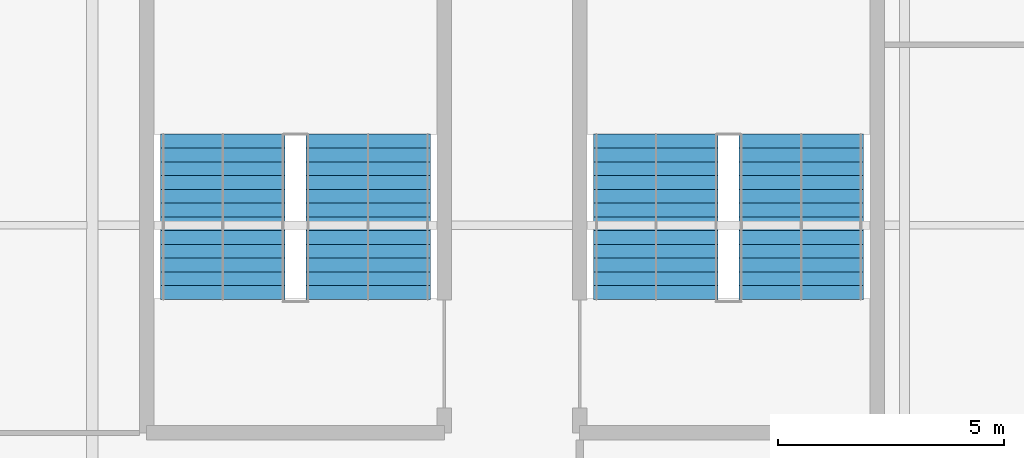
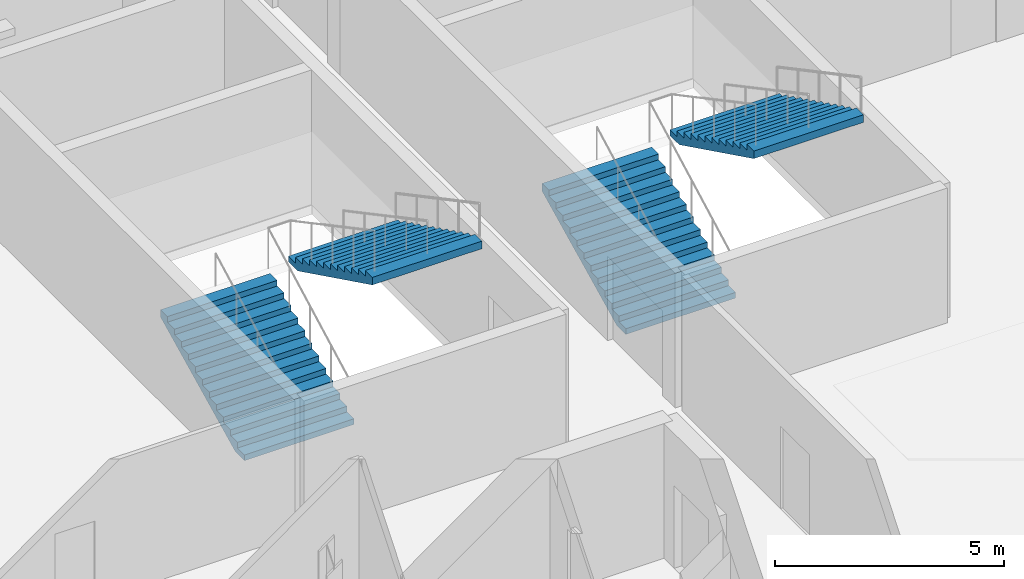
# One storey, part 89 of 105: 4 stair flights, 2 elements without a shape of their own.
"""IFC4 building model written with IfcOpenShell, lengths in metres."""

from ifc_helpers import new_model, si_unit, direction, frame, origin, place, context, subcontext, project, spatial, polygons, material, type_object, element, aggregate, save


model = new_model("IFC4")

# Units and contexts
model_context = context("Model", 3, precision=1e-05, world=origin(), true_north=direction((0.0, 1.0)))
body_context = subcontext(model_context, "Body", "Model", "MODEL_VIEW")
ifc_project = project(units=[si_unit("LENGTHUNIT", "METRE"), si_unit("AREAUNIT", "SQUARE_METRE"), si_unit("VOLUMEUNIT", "CUBIC_METRE"), si_unit("PLANEANGLEUNIT", "RADIAN"), si_unit("MASSUNIT", "GRAM", prefix="KILO")], contexts=[model_context])

# Site, building, storey
site_placement = place(None, origin())
site = spatial("IfcSite", under=ifc_project, at=site_placement, CompositionType="ELEMENT")
building_placement = place(site_placement, origin())
building = spatial("IfcBuilding", under=site, at=building_placement, Name="Kisiwana Market Hall", CompositionType="ELEMENT")
storey_placement = place(building_placement, frame((0.0, 0.0, 21.60009765625)))
storey = spatial("IfcBuildingStorey", under=building, at=storey_placement, Name="L04", CompositionType="ELEMENT", Elevation=21.60009765625)

# Stair, stair flights
ifc_material_1 = material(Name="Concrete C32/40", Category="concrete")
stair_type = type_object("IfcStairType", Name="ST-ESC-3900", PredefinedType="TWO_STRAIGHT_RUN_STAIR", material=ifc_material_1)
stair_1_placement = place(storey_placement, origin())
stair_1 = element("IfcStair", 1, at=stair_1_placement, inside=storey, type_object=stair_type, Name="Escape stair ST-W3-L04", PredefinedType="TWO_STRAIGHT_RUN_STAIR")
ifc_material_2 = material(Name="Concrete C32/40", Category="concrete")
stair_flight_type = type_object("IfcStairFlightType", Name="SF-ESC-3900", PredefinedType="STRAIGHT", material=ifc_material_2)
stair_flight_1_placement = place(storey_placement, frame((11.889892578125, 42.360107421875, 0.0), z_axis=(0.0, 0.0, 1.0), x_axis=(0.0, 1.0, 0.0)))
stair_flight_1 = element("IfcStairFlight", 2, at=stair_flight_1_placement, type_object=stair_flight_type, Name="ST-W3-L04 flight 1", NumberOfRisers=13, NumberOfTreads=12, PredefinedType="STRAIGHT", RiserHeight=0.15, TreadLength=0.305, context=body_context, shape_type="Tessellation", body=[
    polygons([(0.0, -1.380127, 0.0), (0.0, -0.690125, 0.0), (0.0, -0.000122, 0.0), (0.0, 0.68988, 0.0), (0.0, 1.379883, 0.0), (0.0, -1.380127, 0.149902), (0.0, -0.690125, 0.149902), (0.0, -0.000122, 0.149902), (0.0, 0.68988, 0.149902), (0.0, 1.379883, 0.149902), (0.304932, -1.380127, 0.149902), (0.304932, -0.690125, 0.149902), (0.304932, -0.000122, 0.149902), (0.304932, 0.68988, 0.149902), (0.304932, 1.379883, 0.149902), (0.304932, -1.380127, 0.300049), (0.304932, -0.690125, 0.300049), (0.304932, -0.000122, 0.300049), (0.304932, 0.68988, 0.300049), (0.304932, 1.379883, 0.300049), (0.610107, -1.380127, 0.300049), (0.610107, -0.690125, 0.300049), (0.610107, -0.000122, 0.300049), (0.610107, 0.68988, 0.300049), (0.610107, 1.379883, 0.300049), (0.610107, -1.380127, 0.449951), (0.610107, -0.690125, 0.449951), (0.610107, -0.000122, 0.449951), (0.610107, 0.68988, 0.449951), (0.610107, 1.379883, 0.449951), (0.915039, -1.380127, 0.449951), (0.915039, -0.690125, 0.449951), (0.915039, -0.000122, 0.449951), (0.915039, 0.68988, 0.449951), (0.915039, 1.379883, 0.449951), (0.915039, -1.380127, 0.600098), (0.915039, -0.690125, 0.600098), (0.915039, -0.000122, 0.600098), (0.915039, 0.68988, 0.600098), (0.915039, 1.379883, 0.600098), (1.219971, -1.380127, 0.600098), (1.219971, -0.690125, 0.600098), (1.219971, -0.000122, 0.600098), (1.219971, 0.68988, 0.600098), (1.219971, 1.379883, 0.600098), (1.219971, -1.380127, 0.75), (1.219971, -0.690125, 0.75), (1.219971, -0.000122, 0.75), (1.219971, 0.68988, 0.75), (1.219971, 1.379883, 0.75), (1.524902, -1.380127, 0.75), (1.524902, -0.690125, 0.75), (1.524902, -0.000122, 0.75), (1.524902, 0.68988, 0.75), (1.524902, 1.379883, 0.75), (1.524902, -1.380127, 0.899902), (1.524902, -0.690125, 0.899902), (1.524902, -0.000122, 0.899902), (1.524902, 0.68988, 0.899902), (1.524902, 1.379883, 0.899902), (1.830078, -1.380127, 0.899902), (1.830078, -0.690125, 0.899902), (1.830078, -0.000122, 0.899902), (1.830078, 0.68988, 0.899902), (1.830078, 1.379883, 0.899902), (1.830078, -1.380127, 1.050049), (1.830078, -0.690125, 1.050049), (1.830078, -0.000122, 1.050049), (1.830078, 0.68988, 1.050049), (1.830078, 1.379883, 1.050049), (2.13501, -1.380127, 1.050049), (2.13501, -0.690125, 1.050049), (2.13501, -0.000122, 1.050049), (2.13501, 0.68988, 1.050049), (2.13501, 1.379883, 1.050049), (2.13501, -1.380127, 1.199951), (2.13501, -0.690125, 1.199951), (2.13501, -0.000122, 1.199951), (2.13501, 0.68988, 1.199951), (2.13501, 1.379883, 1.199951), (2.439941, -1.380127, 1.199951), (2.439941, -0.690125, 1.199951), (2.439941, -0.000122, 1.199951), (2.439941, 0.68988, 1.199951), (2.439941, 1.379883, 1.199951), (2.439941, -1.380127, 1.350098), (2.439941, -0.690125, 1.350098), (2.439941, -0.000122, 1.350098), (2.439941, 0.68988, 1.350098), (2.439941, 1.379883, 1.350098), (2.745117, -1.380127, 1.350098), (2.745117, -0.690125, 1.350098), (2.745117, -0.000122, 1.350098), (2.745117, 0.68988, 1.350098), (2.745117, 1.379883, 1.350098), (2.745117, -1.380127, 1.5), (2.745117, -0.690125, 1.5), (2.745117, -0.000122, 1.5), (2.745117, 0.68988, 1.5), (2.745117, 1.379883, 1.5), (3.050049, -1.380127, 1.5), (3.050049, -0.690125, 1.5), (3.050049, -0.000122, 1.5), (3.050049, 0.68988, 1.5), (3.050049, 1.379883, 1.5), (3.050049, -1.380127, 1.649902), (3.050049, -0.690125, 1.649902), (3.050049, -0.000122, 1.649902), (3.050049, 0.68988, 1.649902), (3.050049, 1.379883, 1.649902), (3.35498, -1.380127, 1.649902), (3.35498, -0.690125, 1.649902), (3.35498, -0.000122, 1.649902), (3.35498, 0.68988, 1.649902), (3.35498, 1.379883, 1.649902), (3.35498, -1.380127, 1.800049), (3.35498, -0.690125, 1.800049), (3.35498, -0.000122, 1.800049), (3.35498, 0.68988, 1.800049), (3.35498, 1.379883, 1.800049), (3.659912, -1.380127, 1.800049), (3.659912, -0.690125, 1.800049), (3.659912, -0.000122, 1.800049), (3.659912, 0.68988, 1.800049), (3.659912, 1.379883, 1.800049), (3.659912, -1.380127, 1.599365), (3.659912, -0.690125, 1.599365), (3.659912, -0.000122, 1.599365), (3.659912, 0.68988, 1.599365), (3.659912, 1.379883, 1.599365), (0.407715, -1.380127, 0.0), (0.407715, -0.690125, 0.0), (0.407715, -0.000122, 0.0), (0.407715, 0.68988, 0.0), (0.407715, 1.379883, 0.0)], [[[1, 6, 7, 2]], [[2, 7, 8, 3]], [[3, 8, 9, 4]], [[4, 9, 10, 5]], [[6, 11, 12, 7]], [[7, 12, 13, 8]], [[8, 13, 14, 9]], [[9, 14, 15, 10]], [[11, 16, 17, 12]], [[12, 17, 18, 13]], [[13, 18, 19, 14]], [[14, 19, 20, 15]], [[16, 21, 22, 17]], [[17, 22, 23, 18]], [[18, 23, 24, 19]], [[19, 24, 25, 20]], [[21, 26, 27, 22]], [[22, 27, 28, 23]], [[23, 28, 29, 24]], [[24, 29, 30, 25]], [[26, 31, 32, 27]], [[27, 32, 33, 28]], [[28, 33, 34, 29]], [[29, 34, 35, 30]], [[31, 36, 37, 32]], [[32, 37, 38, 33]], [[33, 38, 39, 34]], [[34, 39, 40, 35]], [[36, 41, 42, 37]], [[37, 42, 43, 38]], [[38, 43, 44, 39]], [[39, 44, 45, 40]], [[41, 46, 47, 42]], [[42, 47, 48, 43]], [[43, 48, 49, 44]], [[44, 49, 50, 45]], [[46, 51, 52, 47]], [[47, 52, 53, 48]], [[48, 53, 54, 49]], [[49, 54, 55, 50]], [[51, 56, 57, 52]], [[52, 57, 58, 53]], [[53, 58, 59, 54]], [[54, 59, 60, 55]], [[56, 61, 62, 57]], [[57, 62, 63, 58]], [[58, 63, 64, 59]], [[59, 64, 65, 60]], [[61, 66, 67, 62]], [[62, 67, 68, 63]], [[63, 68, 69, 64]], [[64, 69, 70, 65]], [[66, 71, 72, 67]], [[67, 72, 73, 68]], [[68, 73, 74, 69]], [[69, 74, 75, 70]], [[71, 76, 77, 72]], [[72, 77, 78, 73]], [[73, 78, 79, 74]], [[74, 79, 80, 75]], [[76, 81, 82, 77]], [[77, 82, 83, 78]], [[78, 83, 84, 79]], [[79, 84, 85, 80]], [[81, 86, 87, 82]], [[82, 87, 88, 83]], [[83, 88, 89, 84]], [[84, 89, 90, 85]], [[86, 91, 92, 87]], [[87, 92, 93, 88]], [[88, 93, 94, 89]], [[89, 94, 95, 90]], [[91, 96, 97, 92]], [[92, 97, 98, 93]], [[93, 98, 99, 94]], [[94, 99, 100, 95]], [[96, 101, 102, 97]], [[97, 102, 103, 98]], [[98, 103, 104, 99]], [[99, 104, 105, 100]], [[101, 106, 107, 102]], [[102, 107, 108, 103]], [[103, 108, 109, 104]], [[104, 109, 110, 105]], [[106, 111, 112, 107]], [[107, 112, 113, 108]], [[108, 113, 114, 109]], [[109, 114, 115, 110]], [[111, 116, 117, 112]], [[112, 117, 118, 113]], [[113, 118, 119, 114]], [[114, 119, 120, 115]], [[116, 121, 122, 117]], [[117, 122, 123, 118]], [[118, 123, 124, 119]], [[119, 124, 125, 120]], [[121, 126, 127, 122]], [[122, 127, 128, 123]], [[123, 128, 129, 124]], [[124, 129, 130, 125]], [[126, 131, 132, 127]], [[127, 132, 133, 128]], [[128, 133, 134, 129]], [[129, 134, 135, 130]], [[131, 1, 2, 132]], [[132, 2, 3, 133]], [[133, 3, 4, 134]], [[134, 4, 5, 135]], [[131, 126, 121, 116, 111, 106, 101, 96, 91, 86, 81, 76, 71, 66, 61, 56, 51, 46, 41, 36, 31, 26, 21, 16, 11, 6, 1]], [[5, 10, 15, 20, 25, 30, 35, 40, 45, 50, 55, 60, 65, 70, 75, 80, 85, 90, 95, 100, 105, 110, 115, 120, 125, 130, 135]]], closed=True),
])
stair_flight_2_placement = place(storey_placement, frame((15.110107421875, 46.02001953125, 1.949951171875), z_axis=(0.0, 0.0, 1.0), x_axis=(0.0, -1.0, 0.0)))
stair_flight_2 = element("IfcStairFlight", 3, at=stair_flight_2_placement, type_object=stair_flight_type, Name="ST-W3-L04 flight 2", NumberOfRisers=13, NumberOfTreads=12, PredefinedType="STRAIGHT", RiserHeight=0.15, TreadLength=0.305, context=body_context, shape_type="Tessellation", body=[
    polygons([(0.0, -1.380127, 0.0), (0.0, -0.690125, 0.0), (0.0, -0.000122, 0.0), (0.0, 0.68988, 0.0), (0.0, 1.379883, 0.0), (0.0, -1.380127, 0.149902), (0.0, -0.690125, 0.149902), (0.0, -0.000122, 0.149902), (0.0, 0.68988, 0.149902), (0.0, 1.379883, 0.149902), (0.304932, -1.380127, 0.149902), (0.304932, -0.690125, 0.149902), (0.304932, -0.000122, 0.149902), (0.304932, 0.68988, 0.149902), (0.304932, 1.379883, 0.149902), (0.304932, -1.380127, 0.300049), (0.304932, -0.690125, 0.300049), (0.304932, -0.000122, 0.300049), (0.304932, 0.68988, 0.300049), (0.304932, 1.379883, 0.300049), (0.610107, -1.380127, 0.300049), (0.610107, -0.690125, 0.300049), (0.610107, -0.000122, 0.300049), (0.610107, 0.68988, 0.300049), (0.610107, 1.379883, 0.300049), (0.610107, -1.380127, 0.449951), (0.610107, -0.690125, 0.449951), (0.610107, -0.000122, 0.449951), (0.610107, 0.68988, 0.449951), (0.610107, 1.379883, 0.449951), (0.915039, -1.380127, 0.449951), (0.915039, -0.690125, 0.449951), (0.915039, -0.000122, 0.449951), (0.915039, 0.68988, 0.449951), (0.915039, 1.379883, 0.449951), (0.915039, -1.380127, 0.600098), (0.915039, -0.690125, 0.600098), (0.915039, -0.000122, 0.600098), (0.915039, 0.68988, 0.600098), (0.915039, 1.379883, 0.600098), (1.219971, -1.380127, 0.600098), (1.219971, -0.690125, 0.600098), (1.219971, -0.000122, 0.600098), (1.219971, 0.68988, 0.600098), (1.219971, 1.379883, 0.600098), (1.219971, -1.380127, 0.75), (1.219971, -0.690125, 0.75), (1.219971, -0.000122, 0.75), (1.219971, 0.68988, 0.75), (1.219971, 1.379883, 0.75), (1.524902, -1.380127, 0.75), (1.524902, -0.690125, 0.75), (1.524902, -0.000122, 0.75), (1.524902, 0.68988, 0.75), (1.524902, 1.379883, 0.75), (1.524902, -1.380127, 0.899902), (1.524902, -0.690125, 0.899902), (1.524902, -0.000122, 0.899902), (1.524902, 0.68988, 0.899902), (1.524902, 1.379883, 0.899902), (1.830078, -1.380127, 0.899902), (1.830078, -0.690125, 0.899902), (1.830078, -0.000122, 0.899902), (1.830078, 0.68988, 0.899902), (1.830078, 1.379883, 0.899902), (1.830078, -1.380127, 1.050049), (1.830078, -0.690125, 1.050049), (1.830078, -0.000122, 1.050049), (1.830078, 0.68988, 1.050049), (1.830078, 1.379883, 1.050049), (2.13501, -1.380127, 1.050049), (2.13501, -0.690125, 1.050049), (2.13501, -0.000122, 1.050049), (2.13501, 0.68988, 1.050049), (2.13501, 1.379883, 1.050049), (2.13501, -1.380127, 1.199951), (2.13501, -0.690125, 1.199951), (2.13501, -0.000122, 1.199951), (2.13501, 0.68988, 1.199951), (2.13501, 1.379883, 1.199951), (2.439941, -1.380127, 1.199951), (2.439941, -0.690125, 1.199951), (2.439941, -0.000122, 1.199951), (2.439941, 0.68988, 1.199951), (2.439941, 1.379883, 1.199951), (2.439941, -1.380127, 1.350098), (2.439941, -0.690125, 1.350098), (2.439941, -0.000122, 1.350098), (2.439941, 0.68988, 1.350098), (2.439941, 1.379883, 1.350098), (2.745117, -1.380127, 1.350098), (2.745117, -0.690125, 1.350098), (2.745117, -0.000122, 1.350098), (2.745117, 0.68988, 1.350098), (2.745117, 1.379883, 1.350098), (2.745117, -1.380127, 1.5), (2.745117, -0.690125, 1.5), (2.745117, -0.000122, 1.5), (2.745117, 0.68988, 1.5), (2.745117, 1.379883, 1.5), (3.050049, -1.380127, 1.5), (3.050049, -0.690125, 1.5), (3.050049, -0.000122, 1.5), (3.050049, 0.68988, 1.5), (3.050049, 1.379883, 1.5), (3.050049, -1.380127, 1.649902), (3.050049, -0.690125, 1.649902), (3.050049, -0.000122, 1.649902), (3.050049, 0.68988, 1.649902), (3.050049, 1.379883, 1.649902), (3.35498, -1.380127, 1.649902), (3.35498, -0.690125, 1.649902), (3.35498, -0.000122, 1.649902), (3.35498, 0.68988, 1.649902), (3.35498, 1.379883, 1.649902), (3.35498, -1.380127, 1.800049), (3.35498, -0.690125, 1.800049), (3.35498, -0.000122, 1.800049), (3.35498, 0.68988, 1.800049), (3.35498, 1.379883, 1.800049), (3.659912, -1.380127, 1.800049), (3.659912, -0.690125, 1.800049), (3.659912, -0.000122, 1.800049), (3.659912, 0.68988, 1.800049), (3.659912, 1.379883, 1.800049), (3.659912, -1.380127, 1.599365), (3.659912, -0.690125, 1.599365), (3.659912, -0.000122, 1.599365), (3.659912, 0.68988, 1.599365), (3.659912, 1.379883, 1.599365), (0.407715, -1.380127, 0.0), (0.407715, -0.690125, 0.0), (0.407715, -0.000122, 0.0), (0.407715, 0.68988, 0.0), (0.407715, 1.379883, 0.0)], [[[1, 6, 7, 2]], [[2, 7, 8, 3]], [[3, 8, 9, 4]], [[4, 9, 10, 5]], [[6, 11, 12, 7]], [[7, 12, 13, 8]], [[8, 13, 14, 9]], [[9, 14, 15, 10]], [[11, 16, 17, 12]], [[12, 17, 18, 13]], [[13, 18, 19, 14]], [[14, 19, 20, 15]], [[16, 21, 22, 17]], [[17, 22, 23, 18]], [[18, 23, 24, 19]], [[19, 24, 25, 20]], [[21, 26, 27, 22]], [[22, 27, 28, 23]], [[23, 28, 29, 24]], [[24, 29, 30, 25]], [[26, 31, 32, 27]], [[27, 32, 33, 28]], [[28, 33, 34, 29]], [[29, 34, 35, 30]], [[31, 36, 37, 32]], [[32, 37, 38, 33]], [[33, 38, 39, 34]], [[34, 39, 40, 35]], [[36, 41, 42, 37]], [[37, 42, 43, 38]], [[38, 43, 44, 39]], [[39, 44, 45, 40]], [[41, 46, 47, 42]], [[42, 47, 48, 43]], [[43, 48, 49, 44]], [[44, 49, 50, 45]], [[46, 51, 52, 47]], [[47, 52, 53, 48]], [[48, 53, 54, 49]], [[49, 54, 55, 50]], [[51, 56, 57, 52]], [[52, 57, 58, 53]], [[53, 58, 59, 54]], [[54, 59, 60, 55]], [[56, 61, 62, 57]], [[57, 62, 63, 58]], [[58, 63, 64, 59]], [[59, 64, 65, 60]], [[61, 66, 67, 62]], [[62, 67, 68, 63]], [[63, 68, 69, 64]], [[64, 69, 70, 65]], [[66, 71, 72, 67]], [[67, 72, 73, 68]], [[68, 73, 74, 69]], [[69, 74, 75, 70]], [[71, 76, 77, 72]], [[72, 77, 78, 73]], [[73, 78, 79, 74]], [[74, 79, 80, 75]], [[76, 81, 82, 77]], [[77, 82, 83, 78]], [[78, 83, 84, 79]], [[79, 84, 85, 80]], [[81, 86, 87, 82]], [[82, 87, 88, 83]], [[83, 88, 89, 84]], [[84, 89, 90, 85]], [[86, 91, 92, 87]], [[87, 92, 93, 88]], [[88, 93, 94, 89]], [[89, 94, 95, 90]], [[91, 96, 97, 92]], [[92, 97, 98, 93]], [[93, 98, 99, 94]], [[94, 99, 100, 95]], [[96, 101, 102, 97]], [[97, 102, 103, 98]], [[98, 103, 104, 99]], [[99, 104, 105, 100]], [[101, 106, 107, 102]], [[102, 107, 108, 103]], [[103, 108, 109, 104]], [[104, 109, 110, 105]], [[106, 111, 112, 107]], [[107, 112, 113, 108]], [[108, 113, 114, 109]], [[109, 114, 115, 110]], [[111, 116, 117, 112]], [[112, 117, 118, 113]], [[113, 118, 119, 114]], [[114, 119, 120, 115]], [[116, 121, 122, 117]], [[117, 122, 123, 118]], [[118, 123, 124, 119]], [[119, 124, 125, 120]], [[121, 126, 127, 122]], [[122, 127, 128, 123]], [[123, 128, 129, 124]], [[124, 129, 130, 125]], [[126, 131, 132, 127]], [[127, 132, 133, 128]], [[128, 133, 134, 129]], [[129, 134, 135, 130]], [[131, 1, 2, 132]], [[132, 2, 3, 133]], [[133, 3, 4, 134]], [[134, 4, 5, 135]], [[131, 126, 121, 116, 111, 106, 101, 96, 91, 86, 81, 76, 71, 66, 61, 56, 51, 46, 41, 36, 31, 26, 21, 16, 11, 6, 1]], [[5, 10, 15, 20, 25, 30, 35, 40, 45, 50, 55, 60, 65, 70, 75, 80, 85, 90, 95, 100, 105, 110, 115, 120, 125, 130, 135]]], closed=True),
])
aggregate(stair_1, [stair_flight_1, stair_flight_2])

stair_2_placement = place(storey_placement, origin())
stair_2 = element("IfcStair", 4, at=stair_2_placement, inside=storey, type_object=stair_type, Name="Escape stair ST-W7-L04", PredefinedType="TWO_STRAIGHT_RUN_STAIR")
stair_flight_3_placement = place(storey_placement, frame((21.489990234375, 42.360107421875, 0.0), z_axis=(0.0, 0.0, 1.0), x_axis=(0.0, 1.0, 0.0)))
stair_flight_3 = element("IfcStairFlight", 5, at=stair_flight_3_placement, type_object=stair_flight_type, Name="ST-W7-L04 flight 1", NumberOfRisers=13, NumberOfTreads=12, PredefinedType="STRAIGHT", RiserHeight=0.15, TreadLength=0.305, context=body_context, shape_type="Tessellation", body=[
    polygons([(0.0, -1.380127, 0.0), (0.0, -0.690125, 0.0), (0.0, -0.000122, 0.0), (0.0, 0.68988, 0.0), (0.0, 1.379883, 0.0), (0.0, -1.380127, 0.149902), (0.0, -0.690125, 0.149902), (0.0, -0.000122, 0.149902), (0.0, 0.68988, 0.149902), (0.0, 1.379883, 0.149902), (0.304932, -1.380127, 0.149902), (0.304932, -0.690125, 0.149902), (0.304932, -0.000122, 0.149902), (0.304932, 0.68988, 0.149902), (0.304932, 1.379883, 0.149902), (0.304932, -1.380127, 0.300049), (0.304932, -0.690125, 0.300049), (0.304932, -0.000122, 0.300049), (0.304932, 0.68988, 0.300049), (0.304932, 1.379883, 0.300049), (0.610107, -1.380127, 0.300049), (0.610107, -0.690125, 0.300049), (0.610107, -0.000122, 0.300049), (0.610107, 0.68988, 0.300049), (0.610107, 1.379883, 0.300049), (0.610107, -1.380127, 0.449951), (0.610107, -0.690125, 0.449951), (0.610107, -0.000122, 0.449951), (0.610107, 0.68988, 0.449951), (0.610107, 1.379883, 0.449951), (0.915039, -1.380127, 0.449951), (0.915039, -0.690125, 0.449951), (0.915039, -0.000122, 0.449951), (0.915039, 0.68988, 0.449951), (0.915039, 1.379883, 0.449951), (0.915039, -1.380127, 0.600098), (0.915039, -0.690125, 0.600098), (0.915039, -0.000122, 0.600098), (0.915039, 0.68988, 0.600098), (0.915039, 1.379883, 0.600098), (1.219971, -1.380127, 0.600098), (1.219971, -0.690125, 0.600098), (1.219971, -0.000122, 0.600098), (1.219971, 0.68988, 0.600098), (1.219971, 1.379883, 0.600098), (1.219971, -1.380127, 0.75), (1.219971, -0.690125, 0.75), (1.219971, -0.000122, 0.75), (1.219971, 0.68988, 0.75), (1.219971, 1.379883, 0.75), (1.524902, -1.380127, 0.75), (1.524902, -0.690125, 0.75), (1.524902, -0.000122, 0.75), (1.524902, 0.68988, 0.75), (1.524902, 1.379883, 0.75), (1.524902, -1.380127, 0.899902), (1.524902, -0.690125, 0.899902), (1.524902, -0.000122, 0.899902), (1.524902, 0.68988, 0.899902), (1.524902, 1.379883, 0.899902), (1.830078, -1.380127, 0.899902), (1.830078, -0.690125, 0.899902), (1.830078, -0.000122, 0.899902), (1.830078, 0.68988, 0.899902), (1.830078, 1.379883, 0.899902), (1.830078, -1.380127, 1.050049), (1.830078, -0.690125, 1.050049), (1.830078, -0.000122, 1.050049), (1.830078, 0.68988, 1.050049), (1.830078, 1.379883, 1.050049), (2.13501, -1.380127, 1.050049), (2.13501, -0.690125, 1.050049), (2.13501, -0.000122, 1.050049), (2.13501, 0.68988, 1.050049), (2.13501, 1.379883, 1.050049), (2.13501, -1.380127, 1.199951), (2.13501, -0.690125, 1.199951), (2.13501, -0.000122, 1.199951), (2.13501, 0.68988, 1.199951), (2.13501, 1.379883, 1.199951), (2.439941, -1.380127, 1.199951), (2.439941, -0.690125, 1.199951), (2.439941, -0.000122, 1.199951), (2.439941, 0.68988, 1.199951), (2.439941, 1.379883, 1.199951), (2.439941, -1.380127, 1.350098), (2.439941, -0.690125, 1.350098), (2.439941, -0.000122, 1.350098), (2.439941, 0.68988, 1.350098), (2.439941, 1.379883, 1.350098), (2.745117, -1.380127, 1.350098), (2.745117, -0.690125, 1.350098), (2.745117, -0.000122, 1.350098), (2.745117, 0.68988, 1.350098), (2.745117, 1.379883, 1.350098), (2.745117, -1.380127, 1.5), (2.745117, -0.690125, 1.5), (2.745117, -0.000122, 1.5), (2.745117, 0.68988, 1.5), (2.745117, 1.379883, 1.5), (3.050049, -1.380127, 1.5), (3.050049, -0.690125, 1.5), (3.050049, -0.000122, 1.5), (3.050049, 0.68988, 1.5), (3.050049, 1.379883, 1.5), (3.050049, -1.380127, 1.649902), (3.050049, -0.690125, 1.649902), (3.050049, -0.000122, 1.649902), (3.050049, 0.68988, 1.649902), (3.050049, 1.379883, 1.649902), (3.35498, -1.380127, 1.649902), (3.35498, -0.690125, 1.649902), (3.35498, -0.000122, 1.649902), (3.35498, 0.68988, 1.649902), (3.35498, 1.379883, 1.649902), (3.35498, -1.380127, 1.800049), (3.35498, -0.690125, 1.800049), (3.35498, -0.000122, 1.800049), (3.35498, 0.68988, 1.800049), (3.35498, 1.379883, 1.800049), (3.659912, -1.380127, 1.800049), (3.659912, -0.690125, 1.800049), (3.659912, -0.000122, 1.800049), (3.659912, 0.68988, 1.800049), (3.659912, 1.379883, 1.800049), (3.659912, -1.380127, 1.599365), (3.659912, -0.690125, 1.599365), (3.659912, -0.000122, 1.599365), (3.659912, 0.68988, 1.599365), (3.659912, 1.379883, 1.599365), (0.407715, -1.380127, 0.0), (0.407715, -0.690125, 0.0), (0.407715, -0.000122, 0.0), (0.407715, 0.68988, 0.0), (0.407715, 1.379883, 0.0)], [[[1, 6, 7, 2]], [[2, 7, 8, 3]], [[3, 8, 9, 4]], [[4, 9, 10, 5]], [[6, 11, 12, 7]], [[7, 12, 13, 8]], [[8, 13, 14, 9]], [[9, 14, 15, 10]], [[11, 16, 17, 12]], [[12, 17, 18, 13]], [[13, 18, 19, 14]], [[14, 19, 20, 15]], [[16, 21, 22, 17]], [[17, 22, 23, 18]], [[18, 23, 24, 19]], [[19, 24, 25, 20]], [[21, 26, 27, 22]], [[22, 27, 28, 23]], [[23, 28, 29, 24]], [[24, 29, 30, 25]], [[26, 31, 32, 27]], [[27, 32, 33, 28]], [[28, 33, 34, 29]], [[29, 34, 35, 30]], [[31, 36, 37, 32]], [[32, 37, 38, 33]], [[33, 38, 39, 34]], [[34, 39, 40, 35]], [[36, 41, 42, 37]], [[37, 42, 43, 38]], [[38, 43, 44, 39]], [[39, 44, 45, 40]], [[41, 46, 47, 42]], [[42, 47, 48, 43]], [[43, 48, 49, 44]], [[44, 49, 50, 45]], [[46, 51, 52, 47]], [[47, 52, 53, 48]], [[48, 53, 54, 49]], [[49, 54, 55, 50]], [[51, 56, 57, 52]], [[52, 57, 58, 53]], [[53, 58, 59, 54]], [[54, 59, 60, 55]], [[56, 61, 62, 57]], [[57, 62, 63, 58]], [[58, 63, 64, 59]], [[59, 64, 65, 60]], [[61, 66, 67, 62]], [[62, 67, 68, 63]], [[63, 68, 69, 64]], [[64, 69, 70, 65]], [[66, 71, 72, 67]], [[67, 72, 73, 68]], [[68, 73, 74, 69]], [[69, 74, 75, 70]], [[71, 76, 77, 72]], [[72, 77, 78, 73]], [[73, 78, 79, 74]], [[74, 79, 80, 75]], [[76, 81, 82, 77]], [[77, 82, 83, 78]], [[78, 83, 84, 79]], [[79, 84, 85, 80]], [[81, 86, 87, 82]], [[82, 87, 88, 83]], [[83, 88, 89, 84]], [[84, 89, 90, 85]], [[86, 91, 92, 87]], [[87, 92, 93, 88]], [[88, 93, 94, 89]], [[89, 94, 95, 90]], [[91, 96, 97, 92]], [[92, 97, 98, 93]], [[93, 98, 99, 94]], [[94, 99, 100, 95]], [[96, 101, 102, 97]], [[97, 102, 103, 98]], [[98, 103, 104, 99]], [[99, 104, 105, 100]], [[101, 106, 107, 102]], [[102, 107, 108, 103]], [[103, 108, 109, 104]], [[104, 109, 110, 105]], [[106, 111, 112, 107]], [[107, 112, 113, 108]], [[108, 113, 114, 109]], [[109, 114, 115, 110]], [[111, 116, 117, 112]], [[112, 117, 118, 113]], [[113, 118, 119, 114]], [[114, 119, 120, 115]], [[116, 121, 122, 117]], [[117, 122, 123, 118]], [[118, 123, 124, 119]], [[119, 124, 125, 120]], [[121, 126, 127, 122]], [[122, 127, 128, 123]], [[123, 128, 129, 124]], [[124, 129, 130, 125]], [[126, 131, 132, 127]], [[127, 132, 133, 128]], [[128, 133, 134, 129]], [[129, 134, 135, 130]], [[131, 1, 2, 132]], [[132, 2, 3, 133]], [[133, 3, 4, 134]], [[134, 4, 5, 135]], [[131, 126, 121, 116, 111, 106, 101, 96, 91, 86, 81, 76, 71, 66, 61, 56, 51, 46, 41, 36, 31, 26, 21, 16, 11, 6, 1]], [[5, 10, 15, 20, 25, 30, 35, 40, 45, 50, 55, 60, 65, 70, 75, 80, 85, 90, 95, 100, 105, 110, 115, 120, 125, 130, 135]]], closed=True),
])
stair_flight_4_placement = place(storey_placement, frame((24.7099609375, 46.02001953125, 1.949951171875), z_axis=(0.0, 0.0, 1.0), x_axis=(0.0, -1.0, 0.0)))
stair_flight_4 = element("IfcStairFlight", 6, at=stair_flight_4_placement, type_object=stair_flight_type, Name="ST-W7-L04 flight 2", NumberOfRisers=13, NumberOfTreads=12, PredefinedType="STRAIGHT", RiserHeight=0.15, TreadLength=0.305, context=body_context, shape_type="Tessellation", body=[
    polygons([(0.0, -1.380127, 0.0), (0.0, -0.690125, 0.0), (0.0, -0.000122, 0.0), (0.0, 0.68988, 0.0), (0.0, 1.379883, 0.0), (0.0, -1.380127, 0.149902), (0.0, -0.690125, 0.149902), (0.0, -0.000122, 0.149902), (0.0, 0.68988, 0.149902), (0.0, 1.379883, 0.149902), (0.304932, -1.380127, 0.149902), (0.304932, -0.690125, 0.149902), (0.304932, -0.000122, 0.149902), (0.304932, 0.68988, 0.149902), (0.304932, 1.379883, 0.149902), (0.304932, -1.380127, 0.300049), (0.304932, -0.690125, 0.300049), (0.304932, -0.000122, 0.300049), (0.304932, 0.68988, 0.300049), (0.304932, 1.379883, 0.300049), (0.610107, -1.380127, 0.300049), (0.610107, -0.690125, 0.300049), (0.610107, -0.000122, 0.300049), (0.610107, 0.68988, 0.300049), (0.610107, 1.379883, 0.300049), (0.610107, -1.380127, 0.449951), (0.610107, -0.690125, 0.449951), (0.610107, -0.000122, 0.449951), (0.610107, 0.68988, 0.449951), (0.610107, 1.379883, 0.449951), (0.915039, -1.380127, 0.449951), (0.915039, -0.690125, 0.449951), (0.915039, -0.000122, 0.449951), (0.915039, 0.68988, 0.449951), (0.915039, 1.379883, 0.449951), (0.915039, -1.380127, 0.600098), (0.915039, -0.690125, 0.600098), (0.915039, -0.000122, 0.600098), (0.915039, 0.68988, 0.600098), (0.915039, 1.379883, 0.600098), (1.219971, -1.380127, 0.600098), (1.219971, -0.690125, 0.600098), (1.219971, -0.000122, 0.600098), (1.219971, 0.68988, 0.600098), (1.219971, 1.379883, 0.600098), (1.219971, -1.380127, 0.75), (1.219971, -0.690125, 0.75), (1.219971, -0.000122, 0.75), (1.219971, 0.68988, 0.75), (1.219971, 1.379883, 0.75), (1.524902, -1.380127, 0.75), (1.524902, -0.690125, 0.75), (1.524902, -0.000122, 0.75), (1.524902, 0.68988, 0.75), (1.524902, 1.379883, 0.75), (1.524902, -1.380127, 0.899902), (1.524902, -0.690125, 0.899902), (1.524902, -0.000122, 0.899902), (1.524902, 0.68988, 0.899902), (1.524902, 1.379883, 0.899902), (1.830078, -1.380127, 0.899902), (1.830078, -0.690125, 0.899902), (1.830078, -0.000122, 0.899902), (1.830078, 0.68988, 0.899902), (1.830078, 1.379883, 0.899902), (1.830078, -1.380127, 1.050049), (1.830078, -0.690125, 1.050049), (1.830078, -0.000122, 1.050049), (1.830078, 0.68988, 1.050049), (1.830078, 1.379883, 1.050049), (2.13501, -1.380127, 1.050049), (2.13501, -0.690125, 1.050049), (2.13501, -0.000122, 1.050049), (2.13501, 0.68988, 1.050049), (2.13501, 1.379883, 1.050049), (2.13501, -1.380127, 1.199951), (2.13501, -0.690125, 1.199951), (2.13501, -0.000122, 1.199951), (2.13501, 0.68988, 1.199951), (2.13501, 1.379883, 1.199951), (2.439941, -1.380127, 1.199951), (2.439941, -0.690125, 1.199951), (2.439941, -0.000122, 1.199951), (2.439941, 0.68988, 1.199951), (2.439941, 1.379883, 1.199951), (2.439941, -1.380127, 1.350098), (2.439941, -0.690125, 1.350098), (2.439941, -0.000122, 1.350098), (2.439941, 0.68988, 1.350098), (2.439941, 1.379883, 1.350098), (2.745117, -1.380127, 1.350098), (2.745117, -0.690125, 1.350098), (2.745117, -0.000122, 1.350098), (2.745117, 0.68988, 1.350098), (2.745117, 1.379883, 1.350098), (2.745117, -1.380127, 1.5), (2.745117, -0.690125, 1.5), (2.745117, -0.000122, 1.5), (2.745117, 0.68988, 1.5), (2.745117, 1.379883, 1.5), (3.050049, -1.380127, 1.5), (3.050049, -0.690125, 1.5), (3.050049, -0.000122, 1.5), (3.050049, 0.68988, 1.5), (3.050049, 1.379883, 1.5), (3.050049, -1.380127, 1.649902), (3.050049, -0.690125, 1.649902), (3.050049, -0.000122, 1.649902), (3.050049, 0.68988, 1.649902), (3.050049, 1.379883, 1.649902), (3.35498, -1.380127, 1.649902), (3.35498, -0.690125, 1.649902), (3.35498, -0.000122, 1.649902), (3.35498, 0.68988, 1.649902), (3.35498, 1.379883, 1.649902), (3.35498, -1.380127, 1.800049), (3.35498, -0.690125, 1.800049), (3.35498, -0.000122, 1.800049), (3.35498, 0.68988, 1.800049), (3.35498, 1.379883, 1.800049), (3.659912, -1.380127, 1.800049), (3.659912, -0.690125, 1.800049), (3.659912, -0.000122, 1.800049), (3.659912, 0.68988, 1.800049), (3.659912, 1.379883, 1.800049), (3.659912, -1.380127, 1.599365), (3.659912, -0.690125, 1.599365), (3.659912, -0.000122, 1.599365), (3.659912, 0.68988, 1.599365), (3.659912, 1.379883, 1.599365), (0.407715, -1.380127, 0.0), (0.407715, -0.690125, 0.0), (0.407715, -0.000122, 0.0), (0.407715, 0.68988, 0.0), (0.407715, 1.379883, 0.0)], [[[1, 6, 7, 2]], [[2, 7, 8, 3]], [[3, 8, 9, 4]], [[4, 9, 10, 5]], [[6, 11, 12, 7]], [[7, 12, 13, 8]], [[8, 13, 14, 9]], [[9, 14, 15, 10]], [[11, 16, 17, 12]], [[12, 17, 18, 13]], [[13, 18, 19, 14]], [[14, 19, 20, 15]], [[16, 21, 22, 17]], [[17, 22, 23, 18]], [[18, 23, 24, 19]], [[19, 24, 25, 20]], [[21, 26, 27, 22]], [[22, 27, 28, 23]], [[23, 28, 29, 24]], [[24, 29, 30, 25]], [[26, 31, 32, 27]], [[27, 32, 33, 28]], [[28, 33, 34, 29]], [[29, 34, 35, 30]], [[31, 36, 37, 32]], [[32, 37, 38, 33]], [[33, 38, 39, 34]], [[34, 39, 40, 35]], [[36, 41, 42, 37]], [[37, 42, 43, 38]], [[38, 43, 44, 39]], [[39, 44, 45, 40]], [[41, 46, 47, 42]], [[42, 47, 48, 43]], [[43, 48, 49, 44]], [[44, 49, 50, 45]], [[46, 51, 52, 47]], [[47, 52, 53, 48]], [[48, 53, 54, 49]], [[49, 54, 55, 50]], [[51, 56, 57, 52]], [[52, 57, 58, 53]], [[53, 58, 59, 54]], [[54, 59, 60, 55]], [[56, 61, 62, 57]], [[57, 62, 63, 58]], [[58, 63, 64, 59]], [[59, 64, 65, 60]], [[61, 66, 67, 62]], [[62, 67, 68, 63]], [[63, 68, 69, 64]], [[64, 69, 70, 65]], [[66, 71, 72, 67]], [[67, 72, 73, 68]], [[68, 73, 74, 69]], [[69, 74, 75, 70]], [[71, 76, 77, 72]], [[72, 77, 78, 73]], [[73, 78, 79, 74]], [[74, 79, 80, 75]], [[76, 81, 82, 77]], [[77, 82, 83, 78]], [[78, 83, 84, 79]], [[79, 84, 85, 80]], [[81, 86, 87, 82]], [[82, 87, 88, 83]], [[83, 88, 89, 84]], [[84, 89, 90, 85]], [[86, 91, 92, 87]], [[87, 92, 93, 88]], [[88, 93, 94, 89]], [[89, 94, 95, 90]], [[91, 96, 97, 92]], [[92, 97, 98, 93]], [[93, 98, 99, 94]], [[94, 99, 100, 95]], [[96, 101, 102, 97]], [[97, 102, 103, 98]], [[98, 103, 104, 99]], [[99, 104, 105, 100]], [[101, 106, 107, 102]], [[102, 107, 108, 103]], [[103, 108, 109, 104]], [[104, 109, 110, 105]], [[106, 111, 112, 107]], [[107, 112, 113, 108]], [[108, 113, 114, 109]], [[109, 114, 115, 110]], [[111, 116, 117, 112]], [[112, 117, 118, 113]], [[113, 118, 119, 114]], [[114, 119, 120, 115]], [[116, 121, 122, 117]], [[117, 122, 123, 118]], [[118, 123, 124, 119]], [[119, 124, 125, 120]], [[121, 126, 127, 122]], [[122, 127, 128, 123]], [[123, 128, 129, 124]], [[124, 129, 130, 125]], [[126, 131, 132, 127]], [[127, 132, 133, 128]], [[128, 133, 134, 129]], [[129, 134, 135, 130]], [[131, 1, 2, 132]], [[132, 2, 3, 133]], [[133, 3, 4, 134]], [[134, 4, 5, 135]], [[131, 126, 121, 116, 111, 106, 101, 96, 91, 86, 81, 76, 71, 66, 61, 56, 51, 46, 41, 36, 31, 26, 21, 16, 11, 6, 1]], [[5, 10, 15, 20, 25, 30, 35, 40, 45, 50, 55, 60, 65, 70, 75, 80, 85, 90, 95, 100, 105, 110, 115, 120, 125, 130, 135]]], closed=True),
])
aggregate(stair_2, [stair_flight_3, stair_flight_4])

save(model, "model.ifc")
